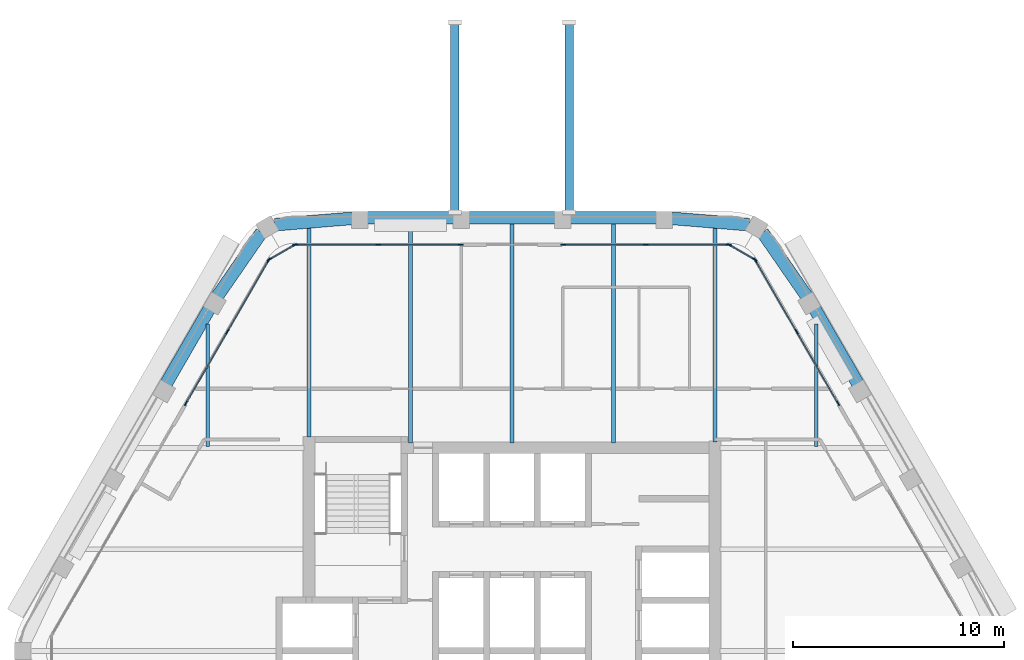
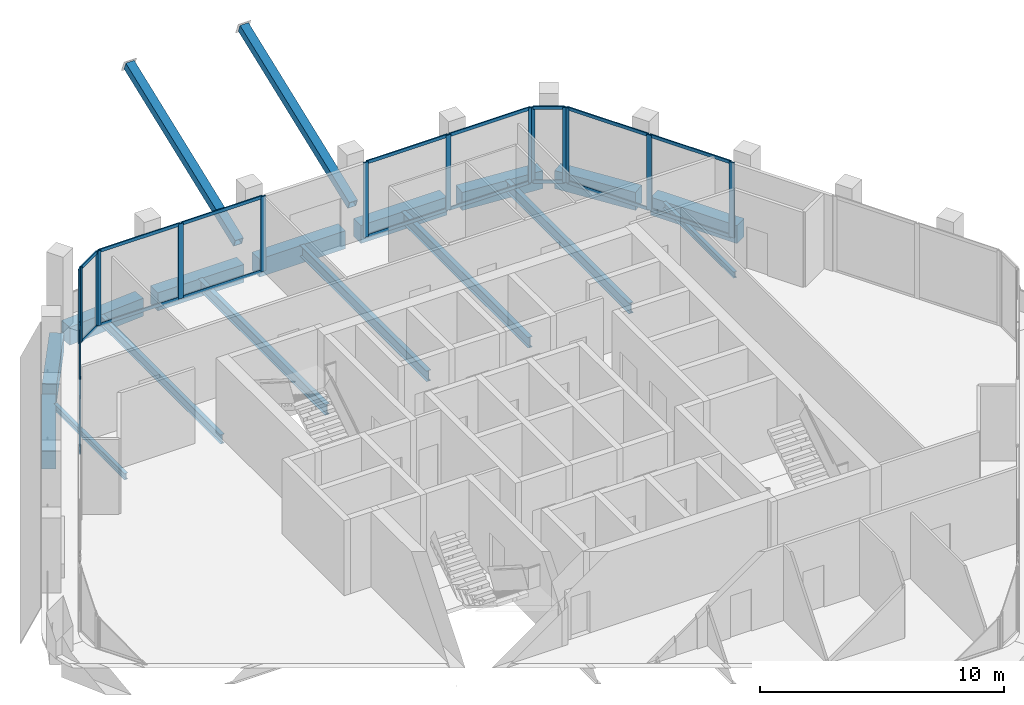
# One storey, part 5 of 14: 38 members, 16 beams, 6 elements without a shape of their own.
"""IFC4 building model written with IfcOpenShell, lengths in metres."""

import ifcopenshell
import ifcopenshell.guid

model = None  # the IFC model being written
_history = None  # IfcOwnerHistory: only IFC2X3 demands one
_inside = {}  # id of a spatial element -> (the spatial element, [elements in it])
_under = {}  # id of a project, library or spatial element -> (it, [spatial elements below it])
_declared = {}  # id of a project -> (the project, [libraries it declares])
_typed = {}  # id of a type object -> (the type object, [elements of that type])
_made_of = {}  # id of a material, layer set ... -> (it, [elements and type objects made of it])


def new_model(schema):
    """Start an empty IFC model of exactly this schema.

    Asked for "IFC4X3", IfcOpenShell would pick the latest addendum, in which some entities
    have other attributes; the version numbers below select the first issue.
    IFC2X3 requires an IfcOwnerHistory on every rooted entity: one is made here for all.
    """
    global model, _history
    if schema == "IFC4X3":
        model = ifcopenshell.file(schema_version=(4, 3, 0, 0))
    else:
        model = ifcopenshell.file(schema=schema)
    _inside.clear()
    _under.clear()
    _declared.clear()
    _typed.clear()
    _made_of.clear()
    _history = None
    if model.schema == "IFC2X3":
        org = make("IfcOrganization", Name="unknown")
        user = make(
            "IfcPersonAndOrganization",
            ThePerson=make("IfcPerson", FamilyName="unknown"),
            TheOrganization=org,
        )
        app = make(
            "IfcApplication",
            ApplicationDeveloper=org,
            Version="unknown",
            ApplicationFullName="unknown",
            ApplicationIdentifier="unknown",
        )
        _history = make(
            "IfcOwnerHistory",
            OwningUser=user,
            OwningApplication=app,
            ChangeAction="ADDED",
            CreationDate=0,
        )
    return model


def make(cls, **values):
    """One entity of the class cls with the attributes given. An attribute that is None is left unset."""
    return model.create_entity(
        cls, **{name: value for name, value in values.items() if value is not None}
    )


def rooted(cls, **values):
    """An entity with a GlobalId (a new one), such as an element, a storey or a relation."""
    return make(cls, GlobalId=ifcopenshell.guid.new(), OwnerHistory=_history, **values)


def si_unit(unit_type, name, prefix=None):
    """IfcSIUnit, for example si_unit("LENGTHUNIT", "METRE", prefix="MILLI")."""
    return make("IfcSIUnit", UnitType=unit_type, Prefix=prefix, Name=name)


def assignment(units):
    """IfcUnitAssignment: the units of a project."""
    return None if units is None else make("IfcUnitAssignment", Units=units)


def point(xyz):
    """IfcCartesianPoint."""
    return None if xyz is None else make("IfcCartesianPoint", Coordinates=xyz)


def direction(xyz):
    """IfcDirection."""
    return None if xyz is None else make("IfcDirection", DirectionRatios=xyz)


def frame(location, z_axis=None, x_axis=None):
    """IfcAxis2Placement3D, a coordinate frame: its origin and axes. An axis left out is left unset."""
    return make(
        "IfcAxis2Placement3D",
        Location=point(location),
        Axis=direction(z_axis),
        RefDirection=direction(x_axis),
    )


def frame_2d(location, x_axis=None):
    """IfcAxis2Placement2D, a coordinate frame in the plane: its origin and x axis."""
    return make(
        "IfcAxis2Placement2D", Location=point(location), RefDirection=direction(x_axis)
    )


def origin():
    """The frame at (0, 0, 0) with its axes left unset."""
    return frame((0.0, 0.0, 0.0))


def origin_2d():
    """The frame at (0, 0) in the plane with its x axis left unset."""
    return frame_2d((0.0, 0.0))


def place(relative_to, where):
    """IfcLocalPlacement: puts the frame where relative to a parent placement (None: the world)."""
    return make(
        "IfcLocalPlacement", PlacementRelTo=relative_to, RelativePlacement=where
    )


def context(
    kind, dimensions, precision=None, world=None, true_north=None, identifier=None
):
    """IfcGeometricRepresentationContext, for example the 3D "Model" context."""
    return make(
        "IfcGeometricRepresentationContext",
        ContextIdentifier=identifier,
        ContextType=kind,
        CoordinateSpaceDimension=dimensions,
        Precision=precision,
        WorldCoordinateSystem=world,
        TrueNorth=true_north,
    )


def subcontext(parent, identifier, kind, view, scale=None):
    """IfcGeometricRepresentationSubContext, for example "Body" below "Model"."""
    return make(
        "IfcGeometricRepresentationSubContext",
        ContextIdentifier=identifier,
        ContextType=kind,
        ParentContext=parent,
        TargetScale=scale,
        TargetView=view,
    )


def project(units=None, contexts=None):
    """IfcProject with its units and contexts."""
    return rooted(
        "IfcProject",
        Name="project",
        RepresentationContexts=contexts,
        UnitsInContext=assignment(units),
    )


def spatial(cls, under=None, at=None, **own):
    """A site, building, storey or space (cls), placed at a placement, below another one or the project."""
    s = rooted(cls, ObjectPlacement=at, **own)
    if under is not None:
        _under.setdefault(under.id(), (under, []))[1].append(s)
    return s


def profile(cls, at=None, kind="AREA", **sizes):
    """A parametric profile (cls). Its sizes go by their IFC names, for example OverallWidth=200.0."""
    return make(cls, ProfileType=kind, Position=at, **sizes)


def rectangle(**sizes):
    """IfcRectangleProfileDef."""
    return profile("IfcRectangleProfileDef", **sizes)


def hollow_rectangle(**sizes):
    """IfcRectangleHollowProfileDef."""
    return profile("IfcRectangleHollowProfileDef", **sizes)


def i_section(**sizes):
    """IfcIShapeProfileDef."""
    return profile("IfcIShapeProfileDef", **sizes)


def extrude(swept, where, along, depth):
    """IfcExtrudedAreaSolid: the profile swept, set in the frame where, extruded along a direction by depth."""
    return make(
        "IfcExtrudedAreaSolid",
        SweptArea=swept,
        Position=where,
        ExtrudedDirection=direction(along),
        Depth=depth,
    )


def shape(context_of_items, identifier, shape_type, items):
    """IfcShapeRepresentation: the items that make up one representation, for example the "Body"."""
    return make(
        "IfcShapeRepresentation",
        ContextOfItems=context_of_items,
        RepresentationIdentifier=identifier,
        RepresentationType=shape_type,
        Items=items,
    )


def material(Name=None, Category=None):
    """IfcMaterial."""
    return make("IfcMaterial", Name=Name, Category=Category)


def material_profile(
    of_material, cross_section, Name=None, Category=None, Priority=None
):
    """IfcMaterialProfile: a cross section and its material."""
    return make(
        "IfcMaterialProfile",
        Name=Name,
        Material=of_material,
        Profile=cross_section,
        Priority=Priority,
        Category=Category,
    )


def profile_set(profiles, Name=None, composite=None):
    """IfcMaterialProfileSet."""
    return make(
        "IfcMaterialProfileSet",
        Name=Name,
        MaterialProfiles=profiles,
        CompositeProfile=composite,
    )


def made_of(thing, what):
    """Note that an element or type object is made of a material, layer set ...; save() writes the relation."""
    if what is not None:
        _made_of.setdefault(what.id(), (what, []))[1].append(thing)
    return thing


def type_object(cls, material=None, **own):
    """A type object (cls), such as IfcWallType, which elements share."""
    return made_of(rooted(cls, **own), material)


def element(
    cls,
    number,
    at=None,
    inside=None,
    cuts=None,
    type_object=None,
    material=None,
    context=None,
    identifier="Body",
    shape_type=None,
    held_by="IfcProductDefinitionShape",
    body=None,
    shapes=None,
    **own,
):
    """One element of the class cls, such as IfcWall. Its Tag is "e" and its number.

    at: its placement. inside: the storey or other place that contains it. cuts: it is an
    opening in that element (IfcRelVoidsElement). A single representation is given by context,
    identifier, shape_type and body (its items); several are given by shapes. held_by: the class
    of the entity that holds the representations. save() writes the other relations.
    """
    e = rooted(cls, Tag="e%d" % number, ObjectPlacement=at, **own)
    if body is not None:
        shapes = [shape(context, identifier, shape_type, body)]
    if shapes is not None:
        e.Representation = make(held_by, Representations=shapes)
    if inside is not None:
        _inside.setdefault(inside.id(), (inside, []))[1].append(e)
    if cuts is not None:
        rooted(
            "IfcRelVoidsElement", RelatingBuildingElement=cuts, RelatedOpeningElement=e
        )
    if type_object is not None:
        _typed.setdefault(type_object.id(), (type_object, []))[1].append(e)
    return made_of(e, material)


def aggregate(whole, parts):
    """IfcRelAggregates: a whole, such as a stair, and the parts it consists of."""
    return rooted("IfcRelAggregates", RelatingObject=whole, RelatedObjects=parts)


def save(model, path):
    """Write the relations noted so far, then the file.

    IfcRelAggregates (storeys below a building ...), IfcRelContainedInSpatialStructure (elements
    in a storey), IfcRelDefinesByType, IfcRelAssociatesMaterial and IfcRelDeclares: one each for
    every whole, place, type object, material and project.
    """
    for whole, parts in _under.values():
        aggregate(whole, parts)
    for where, things in _inside.values():
        rooted(
            "IfcRelContainedInSpatialStructure",
            RelatedElements=things,
            RelatingStructure=where,
        )
    for kind, things in _typed.values():
        rooted("IfcRelDefinesByType", RelatedObjects=things, RelatingType=kind)
    for what, things in _made_of.values():
        rooted("IfcRelAssociatesMaterial", RelatedObjects=things, RelatingMaterial=what)
    for by, libraries in _declared.values():
        rooted("IfcRelDeclares", RelatingContext=by, RelatedDefinitions=libraries)
    model.write(path)


model = new_model("IFC4")

# Units and contexts
model_context = context("Model", 3, precision=1e-05, world=origin(), true_north=direction((0.0, 1.0)))
body_context = subcontext(model_context, "Body", "Model", "MODEL_VIEW")
ifc_project = project(units=[si_unit("LENGTHUNIT", "METRE"), si_unit("AREAUNIT", "SQUARE_METRE"), si_unit("VOLUMEUNIT", "CUBIC_METRE"), si_unit("PLANEANGLEUNIT", "RADIAN"), si_unit("MASSUNIT", "GRAM", prefix="KILO")], contexts=[model_context])

# Site, building, storey
site_placement = place(None, origin())
site = spatial("IfcSite", under=ifc_project, at=site_placement, CompositionType="ELEMENT")
building_placement = place(site_placement, origin())
building = spatial("IfcBuilding", under=site, at=building_placement, Name="Kolab Exchange Tower", CompositionType="ELEMENT")
storey_placement = place(building_placement, frame((0.0, 0.0, 261.800048828125)))
storey = spatial("IfcBuildingStorey", under=building, at=storey_placement, Name="L58", CompositionType="ELEMENT", Elevation=261.800048828125)

# Beams
ifc_material_1 = material(Name="Steel S355", Category="steel")
ifc_material_profile_1 = material_profile(ifc_material_1, i_section(OverallWidth=0.1650390625, OverallDepth=0.31005859375, WebThickness=0.005859375, FlangeThickness=0.009765625, at=origin_2d()), Name="W310X39")
ifc_profile_set_1 = profile_set([ifc_material_profile_1], Name="Steel S355")
beam_type_1 = type_object("IfcBeamType", Name="FLOOR BEAM W310X39", PredefinedType="BEAM", material=ifc_profile_set_1)
for number, where, z_axis, x_axis, name in (
    (1, (-14.39990234375, 9.674072265625, -0.304931640625), (0.0, 1.0, 0.0), (-1.0, 0.0, 0.0), "beam/L58/fr/004"),
    (2, (14.39990234375, 9.674072265625, -0.304931640625), (0.0, 1.0, 0.0), (-1.0, 0.0, 0.0), "beam/L58/fr/019"),
):
    element("IfcBeam", number, at=place(storey_placement, frame(where, z_axis=z_axis, x_axis=x_axis)), inside=storey, type_object=beam_type_1, Name=name, PredefinedType="BEAM", context=body_context, shape_type="SweptSolid", body=[
        extrude(i_section(OverallWidth=0.1650390625, OverallDepth=0.31005859375, WebThickness=0.005859375, FlangeThickness=0.009765625, at=origin_2d()), origin(), (0.0, 0.0, 1.0), 5.793701171875),
    ])
ifc_material_profile_2 = material_profile(ifc_material_1, i_section(OverallWidth=0.18994140625, OverallDepth=0.45703125, WebThickness=0.009033203125, FlangeThickness=0.014404296875, at=origin_2d()), Name="W460X74")
ifc_profile_set_2 = profile_set([ifc_material_profile_2], Name="Steel S355")
beam_type_2 = type_object("IfcBeamType", Name="FLOOR BEAM W460X74", PredefinedType="BEAM", material=ifc_profile_set_2)
beam_1_placement = place(storey_placement, frame((-9.60009765625, 10.110107421875, -0.378662109375), z_axis=(0.0, 1.0, 0.0), x_axis=(-1.0, 0.0, 0.0)))
element("IfcBeam", 3, at=beam_1_placement, inside=storey, type_object=beam_type_2, Name="beam/L58/fr/006", PredefinedType="BEAM", context=body_context, shape_type="SweptSolid", body=[
    extrude(i_section(OverallWidth=0.18994140625, OverallDepth=0.45703125, WebThickness=0.009033203125, FlangeThickness=0.014404296875, at=origin_2d()), origin(), (0.0, 0.0, 1.0), 9.9169921875),
])
ifc_material_profile_3 = material_profile(ifc_material_1, i_section(OverallWidth=0.208984375, OverallDepth=0.532958984375, WebThickness=0.01025390625, FlangeThickness=0.015625, at=origin_2d()), Name="W530X92")
ifc_profile_set_3 = profile_set([ifc_material_profile_3], Name="Steel S355")
beam_type_3 = type_object("IfcBeamType", Name="FLOOR BEAM W530X92", PredefinedType="BEAM", material=ifc_profile_set_3)
for number, where, z_axis, x_axis, name in (
    (4, (-4.800048828125, 9.8349609375, -0.41650390625), (0.0, 1.0, 0.0), (-1.0, 0.0, 0.0), "beam/L58/fr/008"),
    (5, (0.0, 9.8349609375, -0.41650390625), (0.0, 1.0, 0.0), (-1.0, 0.0, 0.0), "beam/L58/fr/010"),
    (6, (4.800048828125, 9.8349609375, -0.41650390625), (0.0, 1.0, 0.0), (-1.0, 0.0, 0.0), "beam/L58/fr/012"),
):
    element("IfcBeam", number, at=place(storey_placement, frame(where, z_axis=z_axis, x_axis=x_axis)), inside=storey, type_object=beam_type_3, Name=name, PredefinedType="BEAM", context=body_context, shape_type="SweptSolid", body=[
        extrude(i_section(OverallWidth=0.208984375, OverallDepth=0.532958984375, WebThickness=0.01025390625, FlangeThickness=0.015625, at=origin_2d()), origin(), (0.0, 0.0, 1.0), 10.3896484375),
    ])
beam_2_placement = place(storey_placement, frame((9.60009765625, 9.885009765625, -0.41650390625), z_axis=(0.0, 1.0, 0.0), x_axis=(-1.0, 0.0, 0.0)))
element("IfcBeam", 7, at=beam_2_placement, inside=storey, type_object=beam_type_3, Name="beam/L58/fr/014", PredefinedType="BEAM", context=body_context, shape_type="SweptSolid", body=[
    extrude(i_section(OverallWidth=0.208984375, OverallDepth=0.532958984375, WebThickness=0.01025390625, FlangeThickness=0.015625, at=origin_2d()), origin(), (0.0, 0.0, 1.0), 10.14208984375),
])

# Members
ifc_material_profile_4 = material_profile(ifc_material_1, hollow_rectangle(XDim=0.39990234375, YDim=0.39990234375, WallThickness=0.02001953125, at=origin_2d()), Name="HSS400X400X20")
ifc_profile_set_4 = profile_set([ifc_material_profile_4], Name="Steel S355")
member_type_1 = type_object("IfcMemberType", Name="POOL STRUT HSS400X400X20", PredefinedType="STRUT", material=ifc_profile_set_4)
for number, where, z_axis, x_axis, name in (
    (8, (-2.699951171875, 20.74462890625, 0.599853515625), (0.0, 0.933553276125, 0.358438670678), (-1.0, 0.0, 0.0), "mem/L58/pool/W-strut"),
    (9, (2.699951171875, 20.74462890625, 0.599853515625), (0.0, 0.933553276125, 0.358438670678), (-1.0, 0.0, 0.0), "mem/L58/pool/E-strut"),
):
    element("IfcMember", number, at=place(storey_placement, frame(where, z_axis=z_axis, x_axis=x_axis)), inside=storey, type_object=member_type_1, Name=name, PredefinedType="STRUT", context=body_context, shape_type="SweptSolid", body=[
        extrude(hollow_rectangle(XDim=0.39990234375, YDim=0.39990234375, WallThickness=0.02001953125, at=origin_2d()), origin(), (0.0, 0.0, 1.0), 9.59765625),
    ])

# Beams
ifc_material_2 = material(Name="Concrete C50/60", Category="concrete")
ifc_material_profile_5 = material_profile(ifc_material_2, rectangle(XDim=0.60009765625, YDim=0.89990234375, at=origin_2d()), Name="RC600X900")
ifc_profile_set_5 = profile_set([ifc_material_profile_5], Name="Concrete C50/60")
beam_type_4 = type_object("IfcBeamType", Name="SPANDREL BEAM 600X900 C50/60", PredefinedType="BEAM", material=ifc_profile_set_5)
beam_3_placement = place(storey_placement, frame((-11.216796875, 20.15576171875, -0.60009765625), z_axis=(0.996666751878, 0.081580547323, 0.0), x_axis=(-0.081580547323, 0.996666751878, 0.0)))
element("IfcBeam", 10, at=beam_3_placement, inside=storey, type_object=beam_type_4, Name="beam/L58/sp/F1-01", PredefinedType="BEAM", context=body_context, shape_type="SweptSolid", body=[
    extrude(rectangle(XDim=0.60009765625, YDim=0.89990234375, at=origin_2d()), origin(), (0.0, 0.0, 1.0), 3.6689453125),
])
for number, where, z_axis, x_axis, name in (
    (11, (-6.840087890625, 20.484619140625, -0.60009765625), (1.0, 0.0, 0.0), (0.0, 1.0, 0.0), "beam/L58/sp/F1-02"),
    (12, (-2.0400390625, 20.484619140625, -0.60009765625), (1.0, 0.0, 0.0), (0.0, 1.0, 0.0), "beam/L58/sp/F1-03"),
    (13, (2.760009765625, 20.484619140625, -0.60009765625), (1.0, 0.0, 0.0), (0.0, 1.0, 0.0), "beam/L58/sp/F1-04"),
):
    element("IfcBeam", number, at=place(storey_placement, frame(where, z_axis=z_axis, x_axis=x_axis)), inside=storey, type_object=beam_type_4, Name=name, PredefinedType="BEAM", context=body_context, shape_type="SweptSolid", body=[
        extrude(rectangle(XDim=0.60009765625, YDim=0.89990234375, at=origin_2d()), origin(), (0.0, 0.0, 1.0), 4.080078125),
    ])
for number, where, z_axis, x_axis, name in (
    (14, (7.56005859375, 20.455078125, -0.60009765625), (0.996666751878, -0.081580547323, 0.0), (0.081580547323, 0.996666751878, 0.0), "beam/L58/sp/F1-05"),
    (15, (11.846923828125, 19.7919921875, -0.60009765625), (0.569005808573, -0.822333502789, 0.0), (0.822333502789, 0.569005808573, 0.0), "beam/L58/sp/F2-01"),
):
    element("IfcBeam", number, at=place(storey_placement, frame(where, z_axis=z_axis, x_axis=x_axis)), inside=storey, type_object=beam_type_4, Name=name, PredefinedType="BEAM", context=body_context, shape_type="SweptSolid", body=[
        extrude(rectangle(XDim=0.60009765625, YDim=0.89990234375, at=origin_2d()), origin(), (0.0, 0.0, 1.0), 3.6689453125),
    ])
for number, where, z_axis, x_axis, name in (
    (16, (14.3203125, 16.166015625, -0.60009765625), (0.499955548806, -0.866051066172, 0.0), (0.866051066172, 0.499955548806, 0.0), "beam/L58/sp/F2-02"),
    (17, (-16.360107421875, 12.632568359375, -0.60009765625), (0.499955548806, 0.866051066172, 0.0), (-0.866051066172, 0.499955548806, 0.0), "beam/L58/sp/F6-04"),
):
    element("IfcBeam", number, at=place(storey_placement, frame(where, z_axis=z_axis, x_axis=x_axis)), inside=storey, type_object=beam_type_4, Name=name, PredefinedType="BEAM", context=body_context, shape_type="SweptSolid", body=[
        extrude(rectangle(XDim=0.60009765625, YDim=0.89990234375, at=origin_2d()), origin(), (0.0, 0.0, 1.0), 4.079833984375),
    ])
beam_4_placement = place(storey_placement, frame((-13.9345703125, 16.77490234375, -0.60009765625), z_axis=(0.569005808573, 0.822333502789, 0.0), x_axis=(-0.822333502789, 0.569005808573, 0.0)))
element("IfcBeam", 18, at=beam_4_placement, inside=storey, type_object=beam_type_4, Name="beam/L58/sp/F6-05", PredefinedType="BEAM", context=body_context, shape_type="SweptSolid", body=[
    extrude(rectangle(XDim=0.60009765625, YDim=0.89990234375, at=origin_2d()), origin(), (0.0, 0.0, 1.0), 3.6689453125),
])

# Curtain wall, members
ifc_material_3 = material(Name="Aluminium EN AW-6063 T6", Category="aluminium")
curtain_wall_type = type_object("IfcCurtainWallType", Name="UNITISED HIGH ZONE CURTAIN WALL", PredefinedType="NOTDEFINED", material=ifc_material_3)
curtain_wall_1_placement = place(storey_placement, origin())
curtain_wall_1 = element("IfcCurtainWall", 19, at=curtain_wall_1_placement, inside=storey, type_object=curtain_wall_type, Name="cw/L58/F1-1", PredefinedType="NOTDEFINED")
ifc_material_profile_6 = material_profile(ifc_material_3, rectangle(XDim=0.06005859375, YDim=0.239990234375, at=origin_2d()), Name="RECT 60X240")
ifc_profile_set_6 = profile_set([ifc_material_profile_6], Name="Aluminium EN AW-6063 T6")
member_type_2 = type_object("IfcMemberType", Name="UNITISED HIGH ZONE MULLION 60 X 240", PredefinedType="MULLION", material=ifc_profile_set_6)
member_1_placement = place(storey_placement, frame((-10.238037109375, 19.20458984375, 0.0), z_axis=(0.0, 0.0, 1.0), x_axis=(0.0, 1.0, 0.0)))
member_1 = element("IfcMember", 20, at=member_1_placement, type_object=member_type_2, Name="CW4 mullion 1", PredefinedType="MULLION", context=body_context, shape_type="SweptSolid", body=[
    extrude(rectangle(XDim=0.06005859375, YDim=0.239990234375, at=origin_2d()), origin(), (0.0, 0.0, 1.0), 3.75),
])
member_2_placement = place(storey_placement, frame((-6.333984375, 19.20458984375, 0.0), z_axis=(0.0, 0.0, 1.0), x_axis=(0.0, 1.0, 0.0)))
member_2 = element("IfcMember", 21, at=member_2_placement, type_object=member_type_2, Name="CW4 mullion 2", PredefinedType="MULLION", context=body_context, shape_type="SweptSolid", body=[
    extrude(rectangle(XDim=0.06005859375, YDim=0.239990234375, at=origin_2d()), origin(), (0.0, 0.0, 1.0), 3.75),
])
member_3_placement = place(storey_placement, frame((-2.429931640625, 19.20458984375, 0.0), z_axis=(0.0, 0.0, 1.0), x_axis=(0.0, 1.0, 0.0)))
member_3 = element("IfcMember", 22, at=member_3_placement, type_object=member_type_2, Name="CW4 mullion 3", PredefinedType="MULLION", context=body_context, shape_type="SweptSolid", body=[
    extrude(rectangle(XDim=0.06005859375, YDim=0.239990234375, at=origin_2d()), origin(), (0.0, 0.0, 1.0), 3.75),
])

curtain_wall_2_placement = place(storey_placement, origin())
curtain_wall_2 = element("IfcCurtainWall", 23, at=curtain_wall_2_placement, inside=storey, type_object=curtain_wall_type, Name="cw/L58/F1-2", PredefinedType="NOTDEFINED")
member_4_placement = place(storey_placement, frame((2.429931640625, 19.20458984375, 0.0), z_axis=(0.0, 0.0, 1.0), x_axis=(0.0, 1.0, 0.0)))
member_4 = element("IfcMember", 24, at=member_4_placement, type_object=member_type_2, Name="CW4 mullion 1", PredefinedType="MULLION", context=body_context, shape_type="SweptSolid", body=[
    extrude(rectangle(XDim=0.06005859375, YDim=0.239990234375, at=origin_2d()), origin(), (0.0, 0.0, 1.0), 3.75),
])
member_5_placement = place(storey_placement, frame((6.333984375, 19.20458984375, 0.0), z_axis=(0.0, 0.0, 1.0), x_axis=(0.0, 1.0, 0.0)))
member_5 = element("IfcMember", 25, at=member_5_placement, type_object=member_type_2, Name="CW4 mullion 2", PredefinedType="MULLION", context=body_context, shape_type="SweptSolid", body=[
    extrude(rectangle(XDim=0.06005859375, YDim=0.239990234375, at=origin_2d()), origin(), (0.0, 0.0, 1.0), 3.75),
])
member_6_placement = place(storey_placement, frame((10.238037109375, 19.20458984375, 0.0), z_axis=(0.0, 0.0, 1.0), x_axis=(0.0, 1.0, 0.0)))
member_6 = element("IfcMember", 26, at=member_6_placement, type_object=member_type_2, Name="CW4 mullion 3", PredefinedType="MULLION", context=body_context, shape_type="SweptSolid", body=[
    extrude(rectangle(XDim=0.06005859375, YDim=0.239990234375, at=origin_2d()), origin(), (0.0, 0.0, 1.0), 3.75),
])

curtain_wall_3_placement = place(storey_placement, origin())
curtain_wall_3 = element("IfcCurtainWall", 27, at=curtain_wall_3_placement, inside=storey, type_object=curtain_wall_type, Name="cw/L58/F2-1", PredefinedType="NOTDEFINED")
member_7_placement = place(storey_placement, frame((11.5126953125, 18.46875, 0.0), z_axis=(0.0, 0.0, 1.0), x_axis=(0.866025385493, 0.500000031681, 0.0)))
member_7 = element("IfcMember", 28, at=member_7_placement, type_object=member_type_2, Name="CW4 mullion 1", PredefinedType="MULLION", context=body_context, shape_type="SweptSolid", body=[
    extrude(rectangle(XDim=0.06005859375, YDim=0.239990234375, at=origin_2d()), origin(), (0.0, 0.0, 1.0), 3.75),
])
member_8_placement = place(storey_placement, frame((13.464599609375, 15.087646484375, 0.0), z_axis=(0.0, 0.0, 1.0), x_axis=(0.866025385493, 0.500000031681, 0.0)))
member_8 = element("IfcMember", 29, at=member_8_placement, type_object=member_type_2, Name="CW4 mullion 2", PredefinedType="MULLION", context=body_context, shape_type="SweptSolid", body=[
    extrude(rectangle(XDim=0.06005859375, YDim=0.239990234375, at=origin_2d()), origin(), (0.0, 0.0, 1.0), 3.75),
])
member_9_placement = place(storey_placement, frame((15.416748046875, 11.706787109375, 0.0), z_axis=(0.0, 0.0, 1.0), x_axis=(0.866025385493, 0.500000031681, 0.0)))
member_9 = element("IfcMember", 30, at=member_9_placement, type_object=member_type_2, Name="CW4 mullion 3", PredefinedType="MULLION", context=body_context, shape_type="SweptSolid", body=[
    extrude(rectangle(XDim=0.06005859375, YDim=0.239990234375, at=origin_2d()), origin(), (0.0, 0.0, 1.0), 3.75),
])

curtain_wall_4_placement = place(storey_placement, origin())
curtain_wall_4 = element("IfcCurtainWall", 31, at=curtain_wall_4_placement, inside=storey, type_object=curtain_wall_type, Name="cw/L58/F6-2", PredefinedType="NOTDEFINED")
member_10_placement = place(storey_placement, frame((-15.416748046875, 11.706787109375, 0.0), z_axis=(0.0, 0.0, 1.0), x_axis=(-0.866025385493, 0.500000031681, 0.0)))
member_10 = element("IfcMember", 32, at=member_10_placement, type_object=member_type_2, Name="CW4 mullion 1", PredefinedType="MULLION", context=body_context, shape_type="SweptSolid", body=[
    extrude(rectangle(XDim=0.06005859375, YDim=0.239990234375, at=origin_2d()), origin(), (0.0, 0.0, 1.0), 3.75),
])
member_11_placement = place(storey_placement, frame((-13.464599609375, 15.087646484375, 0.0), z_axis=(0.0, 0.0, 1.0), x_axis=(-0.866025385493, 0.500000031681, 0.0)))
member_11 = element("IfcMember", 33, at=member_11_placement, type_object=member_type_2, Name="CW4 mullion 2", PredefinedType="MULLION", context=body_context, shape_type="SweptSolid", body=[
    extrude(rectangle(XDim=0.06005859375, YDim=0.239990234375, at=origin_2d()), origin(), (0.0, 0.0, 1.0), 3.75),
])
member_12_placement = place(storey_placement, frame((-11.5126953125, 18.46875, 0.0), z_axis=(0.0, 0.0, 1.0), x_axis=(-0.866025385493, 0.500000031681, 0.0)))
member_12 = element("IfcMember", 34, at=member_12_placement, type_object=member_type_2, Name="CW4 mullion 3", PredefinedType="MULLION", context=body_context, shape_type="SweptSolid", body=[
    extrude(rectangle(XDim=0.06005859375, YDim=0.239990234375, at=origin_2d()), origin(), (0.0, 0.0, 1.0), 3.75),
])

curtain_wall_5_placement = place(storey_placement, origin())
curtain_wall_5 = element("IfcCurtainWall", 35, at=curtain_wall_5_placement, inside=storey, type_object=curtain_wall_type, Name="cw/L58/F1F2-corner", PredefinedType="NOTDEFINED")
member_13_placement = place(storey_placement, frame((10.2939453125, 19.189697265625, 0.0), z_axis=(0.0, 0.0, 1.0), x_axis=(0.50000002237, 0.866025390869, 0.0)))
member_13 = element("IfcMember", 36, at=member_13_placement, type_object=member_type_2, Name="CW4 mullion 1", PredefinedType="MULLION", context=body_context, shape_type="SweptSolid", body=[
    extrude(rectangle(XDim=0.06005859375, YDim=0.239990234375, at=origin_2d()), origin(), (0.0, 0.0, 1.0), 3.75),
])
member_14_placement = place(storey_placement, frame((11.4716796875, 18.509521484375, 0.0), z_axis=(0.0, 0.0, 1.0), x_axis=(0.50000002237, 0.866025390869, 0.0)))
member_14 = element("IfcMember", 37, at=member_14_placement, type_object=member_type_2, Name="CW4 mullion 2", PredefinedType="MULLION", context=body_context, shape_type="SweptSolid", body=[
    extrude(rectangle(XDim=0.06005859375, YDim=0.239990234375, at=origin_2d()), origin(), (0.0, 0.0, 1.0), 3.75),
])

curtain_wall_6_placement = place(storey_placement, origin())
curtain_wall_6 = element("IfcCurtainWall", 38, at=curtain_wall_6_placement, inside=storey, type_object=curtain_wall_type, Name="cw/L58/F6F1-corner", PredefinedType="NOTDEFINED")
member_15_placement = place(storey_placement, frame((-11.4716796875, 18.509521484375, 0.0), z_axis=(0.0, 0.0, 1.0), x_axis=(-0.50000002237, 0.866025390869, 0.0)))
member_15 = element("IfcMember", 39, at=member_15_placement, type_object=member_type_2, Name="CW4 mullion 1", PredefinedType="MULLION", context=body_context, shape_type="SweptSolid", body=[
    extrude(rectangle(XDim=0.06005859375, YDim=0.239990234375, at=origin_2d()), origin(), (0.0, 0.0, 1.0), 3.75),
])
member_16_placement = place(storey_placement, frame((-10.2939453125, 19.189697265625, 0.0), z_axis=(0.0, 0.0, 1.0), x_axis=(-0.50000002237, 0.866025390869, 0.0)))
member_16 = element("IfcMember", 40, at=member_16_placement, type_object=member_type_2, Name="CW4 mullion 2", PredefinedType="MULLION", context=body_context, shape_type="SweptSolid", body=[
    extrude(rectangle(XDim=0.06005859375, YDim=0.239990234375, at=origin_2d()), origin(), (0.0, 0.0, 1.0), 3.75),
])

# Member
ifc_material_profile_7 = material_profile(ifc_material_3, rectangle(XDim=0.06005859375, YDim=0.159912109375, at=origin_2d()), Name="RECT 60X160")
ifc_profile_set_7 = profile_set([ifc_material_profile_7], Name="Aluminium EN AW-6063 T6")
member_type_3 = type_object("IfcMemberType", Name="UNITISED HIGH ZONE TRANSOM 60 X 160", PredefinedType="USERDEFINED", material=ifc_profile_set_7)
member_17_placement = place(storey_placement, frame((-10.2080078125, 19.20458984375, 0.030029296875), z_axis=(1.0, 0.0, 0.0), x_axis=(0.0, 1.0, 0.0)))
member_17 = element("IfcMember", 41, at=member_17_placement, type_object=member_type_3, Name="CW4 transom 1.1", ObjectType="TRANSOM", PredefinedType="USERDEFINED", context=body_context, shape_type="SweptSolid", body=[
    extrude(rectangle(XDim=0.06005859375, YDim=0.159912109375, at=origin_2d()), origin(), (0.0, 0.0, 1.0), 3.843994140625),
])

member_18_placement = place(storey_placement, frame((-10.2080078125, 19.20458984375, 3.719970703125), z_axis=(1.0, 0.0, 0.0), x_axis=(0.0, 1.0, 0.0)))
member_18 = element("IfcMember", 42, at=member_18_placement, type_object=member_type_3, Name="CW4 transom 1.2", ObjectType="TRANSOM", PredefinedType="USERDEFINED", context=body_context, shape_type="SweptSolid", body=[
    extrude(rectangle(XDim=0.06005859375, YDim=0.159912109375, at=origin_2d()), origin(), (0.0, 0.0, 1.0), 3.843994140625),
])

member_19_placement = place(storey_placement, frame((-6.303955078125, 19.20458984375, 0.030029296875), z_axis=(1.0, 0.0, 0.0), x_axis=(0.0, 1.0, 0.0)))
member_19 = element("IfcMember", 43, at=member_19_placement, type_object=member_type_3, Name="CW4 transom 2.1", ObjectType="TRANSOM", PredefinedType="USERDEFINED", context=body_context, shape_type="SweptSolid", body=[
    extrude(rectangle(XDim=0.06005859375, YDim=0.159912109375, at=origin_2d()), origin(), (0.0, 0.0, 1.0), 3.843994140625),
])

member_20_placement = place(storey_placement, frame((-6.303955078125, 19.20458984375, 3.719970703125), z_axis=(1.0, 0.0, 0.0), x_axis=(0.0, 1.0, 0.0)))
member_20 = element("IfcMember", 44, at=member_20_placement, type_object=member_type_3, Name="CW4 transom 2.2", ObjectType="TRANSOM", PredefinedType="USERDEFINED", context=body_context, shape_type="SweptSolid", body=[
    extrude(rectangle(XDim=0.06005859375, YDim=0.159912109375, at=origin_2d()), origin(), (0.0, 0.0, 1.0), 3.843994140625),
])

aggregate(curtain_wall_1, [member_1, member_2, member_3, member_17, member_18, member_19, member_20])

member_21_placement = place(storey_placement, frame((2.4599609375, 19.20458984375, 0.030029296875), z_axis=(1.0, 0.0, 0.0), x_axis=(0.0, 1.0, 0.0)))
member_21 = element("IfcMember", 45, at=member_21_placement, type_object=member_type_3, Name="CW4 transom 1.1", ObjectType="TRANSOM", PredefinedType="USERDEFINED", context=body_context, shape_type="SweptSolid", body=[
    extrude(rectangle(XDim=0.06005859375, YDim=0.159912109375, at=origin_2d()), origin(), (0.0, 0.0, 1.0), 3.843994140625),
])

member_22_placement = place(storey_placement, frame((2.4599609375, 19.20458984375, 3.719970703125), z_axis=(1.0, 0.0, 0.0), x_axis=(0.0, 1.0, 0.0)))
member_22 = element("IfcMember", 46, at=member_22_placement, type_object=member_type_3, Name="CW4 transom 1.2", ObjectType="TRANSOM", PredefinedType="USERDEFINED", context=body_context, shape_type="SweptSolid", body=[
    extrude(rectangle(XDim=0.06005859375, YDim=0.159912109375, at=origin_2d()), origin(), (0.0, 0.0, 1.0), 3.843994140625),
])

member_23_placement = place(storey_placement, frame((6.364013671875, 19.20458984375, 0.030029296875), z_axis=(1.0, 0.0, 0.0), x_axis=(0.0, 1.0, 0.0)))
member_23 = element("IfcMember", 47, at=member_23_placement, type_object=member_type_3, Name="CW4 transom 2.1", ObjectType="TRANSOM", PredefinedType="USERDEFINED", context=body_context, shape_type="SweptSolid", body=[
    extrude(rectangle(XDim=0.06005859375, YDim=0.159912109375, at=origin_2d()), origin(), (0.0, 0.0, 1.0), 3.843994140625),
])

member_24_placement = place(storey_placement, frame((6.364013671875, 19.20458984375, 3.719970703125), z_axis=(1.0, 0.0, 0.0), x_axis=(0.0, 1.0, 0.0)))
member_24 = element("IfcMember", 48, at=member_24_placement, type_object=member_type_3, Name="CW4 transom 2.2", ObjectType="TRANSOM", PredefinedType="USERDEFINED", context=body_context, shape_type="SweptSolid", body=[
    extrude(rectangle(XDim=0.06005859375, YDim=0.159912109375, at=origin_2d()), origin(), (0.0, 0.0, 1.0), 3.843994140625),
])

aggregate(curtain_wall_2, [member_4, member_5, member_6, member_21, member_22, member_23, member_24])

member_25_placement = place(storey_placement, frame((11.527587890625, 18.442626953125, 0.030029296875), z_axis=(0.500039492609, -0.866002601515, 0.0), x_axis=(0.866002601515, 0.500039492609, 0.0)))
member_25 = element("IfcMember", 49, at=member_25_placement, type_object=member_type_3, Name="CW4 transom 1.1", ObjectType="TRANSOM", PredefinedType="USERDEFINED", context=body_context, shape_type="SweptSolid", body=[
    extrude(rectangle(XDim=0.06005859375, YDim=0.159912109375, at=origin_2d()), origin(), (0.0, 0.0, 1.0), 3.843994140625),
])

member_26_placement = place(storey_placement, frame((11.527587890625, 18.442626953125, 3.719970703125), z_axis=(0.500039492609, -0.866002601515, 0.0), x_axis=(0.866002601515, 0.500039492609, 0.0)))
member_26 = element("IfcMember", 50, at=member_26_placement, type_object=member_type_3, Name="CW4 transom 1.2", ObjectType="TRANSOM", PredefinedType="USERDEFINED", context=body_context, shape_type="SweptSolid", body=[
    extrude(rectangle(XDim=0.06005859375, YDim=0.159912109375, at=origin_2d()), origin(), (0.0, 0.0, 1.0), 3.843994140625),
])

member_27_placement = place(storey_placement, frame((13.479736328125, 15.061767578125, 0.030029296875), z_axis=(0.499964356602, -0.866045981532, 0.0), x_axis=(0.866045981532, 0.499964356602, 0.0)))
member_27 = element("IfcMember", 51, at=member_27_placement, type_object=member_type_3, Name="CW4 transom 2.1", ObjectType="TRANSOM", PredefinedType="USERDEFINED", context=body_context, shape_type="SweptSolid", body=[
    extrude(rectangle(XDim=0.06005859375, YDim=0.159912109375, at=origin_2d()), origin(), (0.0, 0.0, 1.0), 3.843994140625),
])

member_28_placement = place(storey_placement, frame((13.479736328125, 15.061767578125, 3.719970703125), z_axis=(0.499964356602, -0.866045981532, 0.0), x_axis=(0.866045981532, 0.499964356602, 0.0)))
member_28 = element("IfcMember", 52, at=member_28_placement, type_object=member_type_3, Name="CW4 transom 2.2", ObjectType="TRANSOM", PredefinedType="USERDEFINED", context=body_context, shape_type="SweptSolid", body=[
    extrude(rectangle(XDim=0.06005859375, YDim=0.159912109375, at=origin_2d()), origin(), (0.0, 0.0, 1.0), 3.843994140625),
])

aggregate(curtain_wall_3, [member_7, member_8, member_9, member_25, member_26, member_27, member_28])

member_29_placement = place(storey_placement, frame((-15.401611328125, 11.732666015625, 0.030029296875), z_axis=(0.499964356602, 0.866045981532, 0.0), x_axis=(-0.866045981532, 0.499964356602, 0.0)))
member_29 = element("IfcMember", 53, at=member_29_placement, type_object=member_type_3, Name="CW4 transom 1.1", ObjectType="TRANSOM", PredefinedType="USERDEFINED", context=body_context, shape_type="SweptSolid", body=[
    extrude(rectangle(XDim=0.06005859375, YDim=0.159912109375, at=origin_2d()), origin(), (0.0, 0.0, 1.0), 3.843994140625),
])

member_30_placement = place(storey_placement, frame((-15.401611328125, 11.732666015625, 3.719970703125), z_axis=(0.499964356602, 0.866045981532, 0.0), x_axis=(-0.866045981532, 0.499964356602, 0.0)))
member_30 = element("IfcMember", 54, at=member_30_placement, type_object=member_type_3, Name="CW4 transom 1.2", ObjectType="TRANSOM", PredefinedType="USERDEFINED", context=body_context, shape_type="SweptSolid", body=[
    extrude(rectangle(XDim=0.06005859375, YDim=0.159912109375, at=origin_2d()), origin(), (0.0, 0.0, 1.0), 3.843994140625),
])

member_31_placement = place(storey_placement, frame((-13.44970703125, 15.11376953125, 0.030029296875), z_axis=(0.500039492609, 0.866002601515, 0.0), x_axis=(-0.866002601515, 0.500039492609, 0.0)))
member_31 = element("IfcMember", 55, at=member_31_placement, type_object=member_type_3, Name="CW4 transom 2.1", ObjectType="TRANSOM", PredefinedType="USERDEFINED", context=body_context, shape_type="SweptSolid", body=[
    extrude(rectangle(XDim=0.06005859375, YDim=0.159912109375, at=origin_2d()), origin(), (0.0, 0.0, 1.0), 3.843994140625),
])

member_32_placement = place(storey_placement, frame((-13.44970703125, 15.11376953125, 3.719970703125), z_axis=(0.500039492609, 0.866002601515, 0.0), x_axis=(-0.866002601515, 0.500039492609, 0.0)))
member_32 = element("IfcMember", 56, at=member_32_placement, type_object=member_type_3, Name="CW4 transom 2.2", ObjectType="TRANSOM", PredefinedType="USERDEFINED", context=body_context, shape_type="SweptSolid", body=[
    extrude(rectangle(XDim=0.06005859375, YDim=0.159912109375, at=origin_2d()), origin(), (0.0, 0.0, 1.0), 3.843994140625),
])

aggregate(curtain_wall_4, [member_10, member_11, member_12, member_29, member_30, member_31, member_32])

member_33_placement = place(storey_placement, frame((10.31982421875, 19.174560546875, 0.030029296875), z_axis=(0.866085525409, -0.49989585183, 0.0), x_axis=(0.49989585183, 0.866085525409, 0.0)))
member_33 = element("IfcMember", 57, at=member_33_placement, type_object=member_type_3, Name="CW4 transom 1.1", ObjectType="TRANSOM", PredefinedType="USERDEFINED", context=body_context, shape_type="SweptSolid", body=[
    extrude(rectangle(XDim=0.06005859375, YDim=0.159912109375, at=origin_2d()), origin(), (0.0, 0.0, 1.0), 1.300048828125),
])

member_34_placement = place(storey_placement, frame((10.31982421875, 19.174560546875, 3.719970703125), z_axis=(0.866085525409, -0.49989585183, 0.0), x_axis=(0.49989585183, 0.866085525409, 0.0)))
member_34 = element("IfcMember", 58, at=member_34_placement, type_object=member_type_3, Name="CW4 transom 1.2", ObjectType="TRANSOM", PredefinedType="USERDEFINED", context=body_context, shape_type="SweptSolid", body=[
    extrude(rectangle(XDim=0.06005859375, YDim=0.159912109375, at=origin_2d()), origin(), (0.0, 0.0, 1.0), 1.300048828125),
])

aggregate(curtain_wall_5, [member_13, member_14, member_33, member_34])

member_35_placement = place(storey_placement, frame((-11.44580078125, 18.524658203125, 0.030029296875), z_axis=(0.866085525409, 0.49989585183, 0.0), x_axis=(-0.49989585183, 0.866085525409, 0.0)))
member_35 = element("IfcMember", 59, at=member_35_placement, type_object=member_type_3, Name="CW4 transom 1.1", ObjectType="TRANSOM", PredefinedType="USERDEFINED", context=body_context, shape_type="SweptSolid", body=[
    extrude(rectangle(XDim=0.06005859375, YDim=0.159912109375, at=origin_2d()), origin(), (0.0, 0.0, 1.0), 1.300048828125),
])

member_36_placement = place(storey_placement, frame((-11.44580078125, 18.524658203125, 3.719970703125), z_axis=(0.866085525409, 0.49989585183, 0.0), x_axis=(-0.49989585183, 0.866085525409, 0.0)))
member_36 = element("IfcMember", 60, at=member_36_placement, type_object=member_type_3, Name="CW4 transom 1.2", ObjectType="TRANSOM", PredefinedType="USERDEFINED", context=body_context, shape_type="SweptSolid", body=[
    extrude(rectangle(XDim=0.06005859375, YDim=0.159912109375, at=origin_2d()), origin(), (0.0, 0.0, 1.0), 1.300048828125),
])

aggregate(curtain_wall_6, [member_15, member_16, member_35, member_36])

save(model, "model.ifc")
